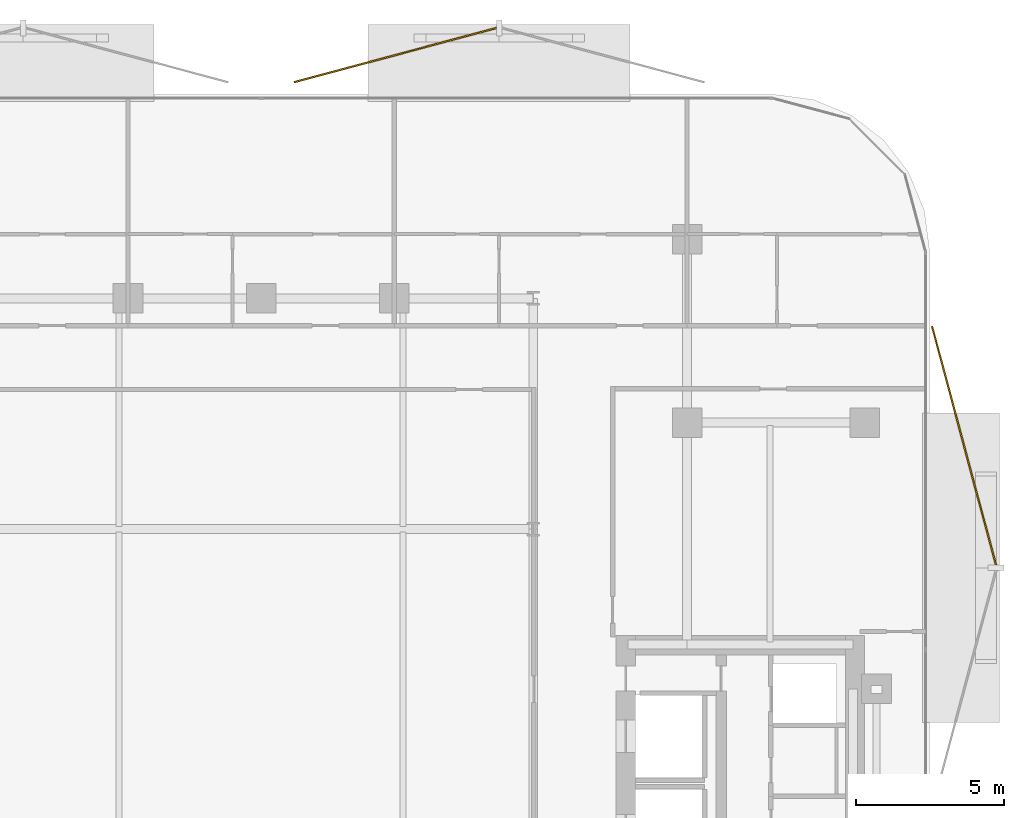
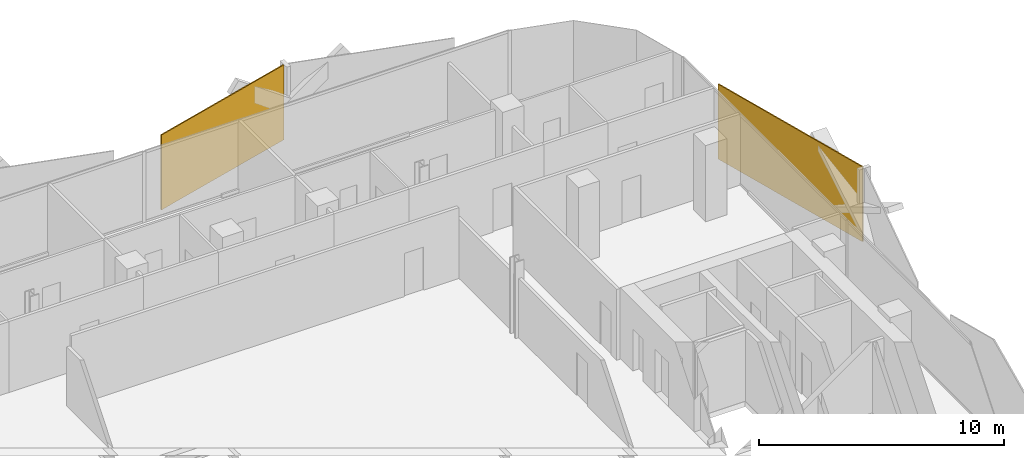
# One storey, part 17 of 17: 2 coverings.
"""IFC4 building model written with IfcOpenShell, lengths in metres."""

import ifcopenshell
import ifcopenshell.guid

model = None  # the IFC model being written
_history = None  # IfcOwnerHistory: only IFC2X3 demands one
_inside = {}  # id of a spatial element -> (the spatial element, [elements in it])
_under = {}  # id of a project, library or spatial element -> (it, [spatial elements below it])
_declared = {}  # id of a project -> (the project, [libraries it declares])
_typed = {}  # id of a type object -> (the type object, [elements of that type])
_made_of = {}  # id of a material, layer set ... -> (it, [elements and type objects made of it])


def new_model(schema):
    """Start an empty IFC model of exactly this schema.

    Asked for "IFC4X3", IfcOpenShell would pick the latest addendum, in which some entities
    have other attributes; the version numbers below select the first issue.
    IFC2X3 requires an IfcOwnerHistory on every rooted entity: one is made here for all.
    """
    global model, _history
    if schema == "IFC4X3":
        model = ifcopenshell.file(schema_version=(4, 3, 0, 0))
    else:
        model = ifcopenshell.file(schema=schema)
    _inside.clear()
    _under.clear()
    _declared.clear()
    _typed.clear()
    _made_of.clear()
    _history = None
    if model.schema == "IFC2X3":
        org = make("IfcOrganization", Name="unknown")
        user = make(
            "IfcPersonAndOrganization",
            ThePerson=make("IfcPerson", FamilyName="unknown"),
            TheOrganization=org,
        )
        app = make(
            "IfcApplication",
            ApplicationDeveloper=org,
            Version="unknown",
            ApplicationFullName="unknown",
            ApplicationIdentifier="unknown",
        )
        _history = make(
            "IfcOwnerHistory",
            OwningUser=user,
            OwningApplication=app,
            ChangeAction="ADDED",
            CreationDate=0,
        )
    return model


def make(cls, **values):
    """One entity of the class cls with the attributes given. An attribute that is None is left unset."""
    return model.create_entity(
        cls, **{name: value for name, value in values.items() if value is not None}
    )


def rooted(cls, **values):
    """An entity with a GlobalId (a new one), such as an element, a storey or a relation."""
    return make(cls, GlobalId=ifcopenshell.guid.new(), OwnerHistory=_history, **values)


def si_unit(unit_type, name, prefix=None):
    """IfcSIUnit, for example si_unit("LENGTHUNIT", "METRE", prefix="MILLI")."""
    return make("IfcSIUnit", UnitType=unit_type, Prefix=prefix, Name=name)


def assignment(units):
    """IfcUnitAssignment: the units of a project."""
    return None if units is None else make("IfcUnitAssignment", Units=units)


def point(xyz):
    """IfcCartesianPoint."""
    return None if xyz is None else make("IfcCartesianPoint", Coordinates=xyz)


def direction(xyz):
    """IfcDirection."""
    return None if xyz is None else make("IfcDirection", DirectionRatios=xyz)


def frame(location, z_axis=None, x_axis=None):
    """IfcAxis2Placement3D, a coordinate frame: its origin and axes. An axis left out is left unset."""
    return make(
        "IfcAxis2Placement3D",
        Location=point(location),
        Axis=direction(z_axis),
        RefDirection=direction(x_axis),
    )


def frame_2d(location, x_axis=None):
    """IfcAxis2Placement2D, a coordinate frame in the plane: its origin and x axis."""
    return make(
        "IfcAxis2Placement2D", Location=point(location), RefDirection=direction(x_axis)
    )


def origin():
    """The frame at (0, 0, 0) with its axes left unset."""
    return frame((0.0, 0.0, 0.0))


def origin_2d():
    """The frame at (0, 0) in the plane with its x axis left unset."""
    return frame_2d((0.0, 0.0))


def place(relative_to, where):
    """IfcLocalPlacement: puts the frame where relative to a parent placement (None: the world)."""
    return make(
        "IfcLocalPlacement", PlacementRelTo=relative_to, RelativePlacement=where
    )


def context(
    kind, dimensions, precision=None, world=None, true_north=None, identifier=None
):
    """IfcGeometricRepresentationContext, for example the 3D "Model" context."""
    return make(
        "IfcGeometricRepresentationContext",
        ContextIdentifier=identifier,
        ContextType=kind,
        CoordinateSpaceDimension=dimensions,
        Precision=precision,
        WorldCoordinateSystem=world,
        TrueNorth=true_north,
    )


def subcontext(parent, identifier, kind, view, scale=None):
    """IfcGeometricRepresentationSubContext, for example "Body" below "Model"."""
    return make(
        "IfcGeometricRepresentationSubContext",
        ContextIdentifier=identifier,
        ContextType=kind,
        ParentContext=parent,
        TargetScale=scale,
        TargetView=view,
    )


def project(units=None, contexts=None):
    """IfcProject with its units and contexts."""
    return rooted(
        "IfcProject",
        Name="project",
        RepresentationContexts=contexts,
        UnitsInContext=assignment(units),
    )


def spatial(cls, under=None, at=None, **own):
    """A site, building, storey or space (cls), placed at a placement, below another one or the project."""
    s = rooted(cls, ObjectPlacement=at, **own)
    if under is not None:
        _under.setdefault(under.id(), (under, []))[1].append(s)
    return s


def profile(cls, at=None, kind="AREA", **sizes):
    """A parametric profile (cls). Its sizes go by their IFC names, for example OverallWidth=200.0."""
    return make(cls, ProfileType=kind, Position=at, **sizes)


def rectangle(**sizes):
    """IfcRectangleProfileDef."""
    return profile("IfcRectangleProfileDef", **sizes)


def extrude(swept, where, along, depth):
    """IfcExtrudedAreaSolid: the profile swept, set in the frame where, extruded along a direction by depth."""
    return make(
        "IfcExtrudedAreaSolid",
        SweptArea=swept,
        Position=where,
        ExtrudedDirection=direction(along),
        Depth=depth,
    )


def shape(context_of_items, identifier, shape_type, items):
    """IfcShapeRepresentation: the items that make up one representation, for example the "Body"."""
    return make(
        "IfcShapeRepresentation",
        ContextOfItems=context_of_items,
        RepresentationIdentifier=identifier,
        RepresentationType=shape_type,
        Items=items,
    )


def material(Name=None, Category=None):
    """IfcMaterial."""
    return make("IfcMaterial", Name=Name, Category=Category)


def layer(
    of_material, thickness, ventilated=None, Name=None, Category=None, Priority=None
):
    """IfcMaterialLayer: one layer of a wall or slab, of a material (None: an air gap)."""
    return make(
        "IfcMaterialLayer",
        Material=of_material,
        LayerThickness=thickness,
        IsVentilated=ventilated,
        Name=Name,
        Category=Category,
        Priority=Priority,
    )


def layer_set(layers, Name=None):
    """IfcMaterialLayerSet."""
    return make("IfcMaterialLayerSet", MaterialLayers=layers, LayerSetName=Name)


def made_of(thing, what):
    """Note that an element or type object is made of a material, layer set ...; save() writes the relation."""
    if what is not None:
        _made_of.setdefault(what.id(), (what, []))[1].append(thing)
    return thing


def type_object(cls, material=None, **own):
    """A type object (cls), such as IfcWallType, which elements share."""
    return made_of(rooted(cls, **own), material)


def element(
    cls,
    number,
    at=None,
    inside=None,
    cuts=None,
    type_object=None,
    material=None,
    context=None,
    identifier="Body",
    shape_type=None,
    held_by="IfcProductDefinitionShape",
    body=None,
    shapes=None,
    **own,
):
    """One element of the class cls, such as IfcWall. Its Tag is "e" and its number.

    at: its placement. inside: the storey or other place that contains it. cuts: it is an
    opening in that element (IfcRelVoidsElement). A single representation is given by context,
    identifier, shape_type and body (its items); several are given by shapes. held_by: the class
    of the entity that holds the representations. save() writes the other relations.
    """
    e = rooted(cls, Tag="e%d" % number, ObjectPlacement=at, **own)
    if body is not None:
        shapes = [shape(context, identifier, shape_type, body)]
    if shapes is not None:
        e.Representation = make(held_by, Representations=shapes)
    if inside is not None:
        _inside.setdefault(inside.id(), (inside, []))[1].append(e)
    if cuts is not None:
        rooted(
            "IfcRelVoidsElement", RelatingBuildingElement=cuts, RelatedOpeningElement=e
        )
    if type_object is not None:
        _typed.setdefault(type_object.id(), (type_object, []))[1].append(e)
    return made_of(e, material)


def aggregate(whole, parts):
    """IfcRelAggregates: a whole, such as a stair, and the parts it consists of."""
    return rooted("IfcRelAggregates", RelatingObject=whole, RelatedObjects=parts)


def save(model, path):
    """Write the relations noted so far, then the file.

    IfcRelAggregates (storeys below a building ...), IfcRelContainedInSpatialStructure (elements
    in a storey), IfcRelDefinesByType, IfcRelAssociatesMaterial and IfcRelDeclares: one each for
    every whole, place, type object, material and project.
    """
    for whole, parts in _under.values():
        aggregate(whole, parts)
    for where, things in _inside.values():
        rooted(
            "IfcRelContainedInSpatialStructure",
            RelatedElements=things,
            RelatingStructure=where,
        )
    for kind, things in _typed.values():
        rooted("IfcRelDefinesByType", RelatedObjects=things, RelatingType=kind)
    for what, things in _made_of.values():
        rooted("IfcRelAssociatesMaterial", RelatedObjects=things, RelatingMaterial=what)
    for by, libraries in _declared.values():
        rooted("IfcRelDeclares", RelatingContext=by, RelatedDefinitions=libraries)
    model.write(path)


model = new_model("IFC4")

# Units and contexts
model_context = context("Model", 3, precision=1e-05, world=origin(), true_north=direction((0.0, 1.0)))
body_context = subcontext(model_context, "Body", "Model", "MODEL_VIEW")
ifc_project = project(units=[si_unit("LENGTHUNIT", "METRE"), si_unit("AREAUNIT", "SQUARE_METRE"), si_unit("VOLUMEUNIT", "CUBIC_METRE"), si_unit("PLANEANGLEUNIT", "RADIAN"), si_unit("MASSUNIT", "GRAM", prefix="KILO")], contexts=[model_context])

# Site, building, storey
site_placement = place(None, origin())
site = spatial("IfcSite", under=ifc_project, at=site_placement, CompositionType="ELEMENT")
building_placement = place(site_placement, origin())
building = spatial("IfcBuilding", under=site, at=building_placement, Name="Khairoan Windgate Tower", CompositionType="ELEMENT")
storey_placement = place(building_placement, frame((0.0, 0.0, 165.0)))
storey = spatial("IfcBuildingStorey", under=building, at=storey_placement, Name="L37", CompositionType="ELEMENT", Elevation=165.0)

# Coverings
ifc_material = material(Name="Anodised Bronze Aluminium 6063-T6", Category="aluminium")
ifc_layer = layer(ifc_material, 0.054931640625, Name="Anodised Bronze Aluminium 6063-T6")
ifc_layer_set = layer_set([ifc_layer], Name="Anodised Bronze Aluminium 6063-T6")
covering_type = type_object("IfcCoveringType", Name="Perforated Bronze-Ceramic Folded Solar Screen Cladding BSC-1", PredefinedType="CLADDING", material=ifc_layer_set)
covering_1_placement = place(storey_placement, frame((4.535888671875, 26.82373046875, -0.10009765625), z_axis=(0.0, 0.0, 1.0), x_axis=(0.965925826289, 0.258819045103, 0.0)))
element("IfcCovering", 1, at=covering_1_placement, inside=storey, type_object=covering_type, Name="L37 Folded Bronze Solar Screen Facet 238L", PredefinedType="CLADDING", context=body_context, shape_type="SweptSolid", body=[
    extrude(rectangle(XDim=7.080078125, YDim=0.054931640625, at=origin_2d()), origin(), (0.0, 0.0, 1.0), 3.739990234375),
])
covering_2_placement = place(storey_placement, frame((23.7587890625, 13.62109375, -0.10009765625), z_axis=(0.0, 0.0, 1.0), x_axis=(0.258819045103, -0.965925826289, 0.0)))
element("IfcCovering", 2, at=covering_2_placement, inside=storey, type_object=covering_type, Name="L37 Folded Bronze Solar Screen Facet 239L", PredefinedType="CLADDING", context=body_context, shape_type="SweptSolid", body=[
    extrude(rectangle(XDim=8.35595703125, YDim=0.054931640625, at=origin_2d()), origin(), (0.0, 0.0, 1.0), 3.739990234375),
])

save(model, "model.ifc")
